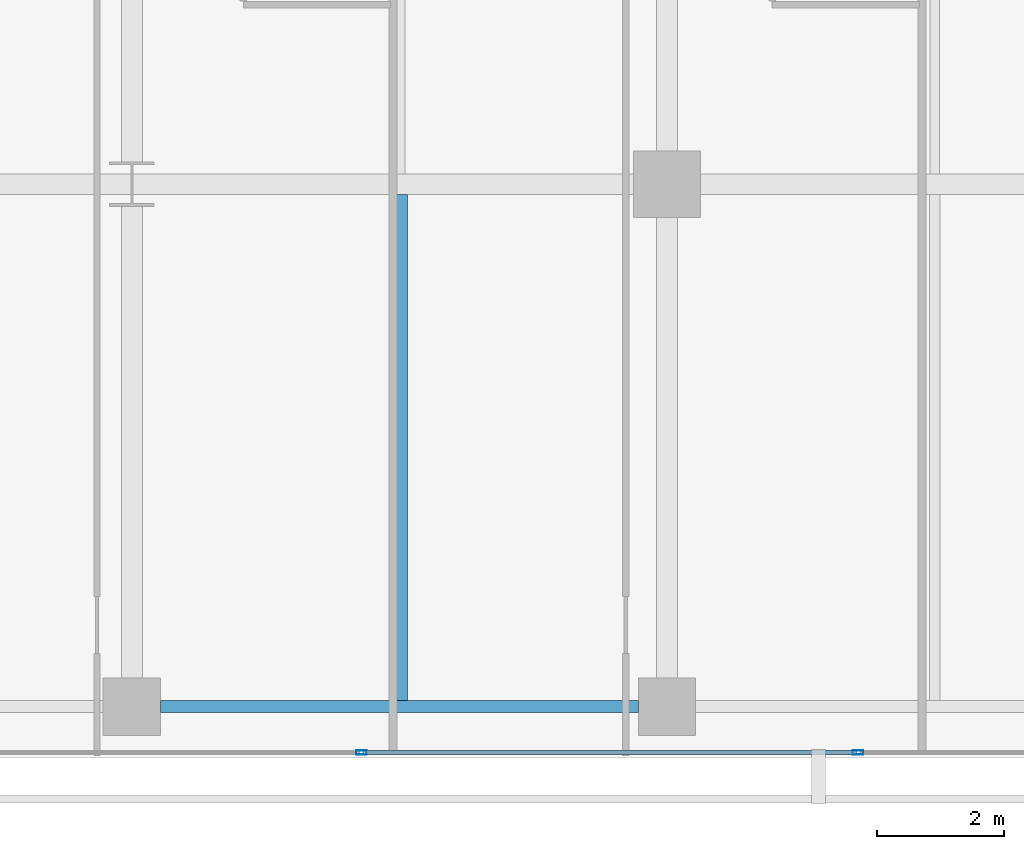
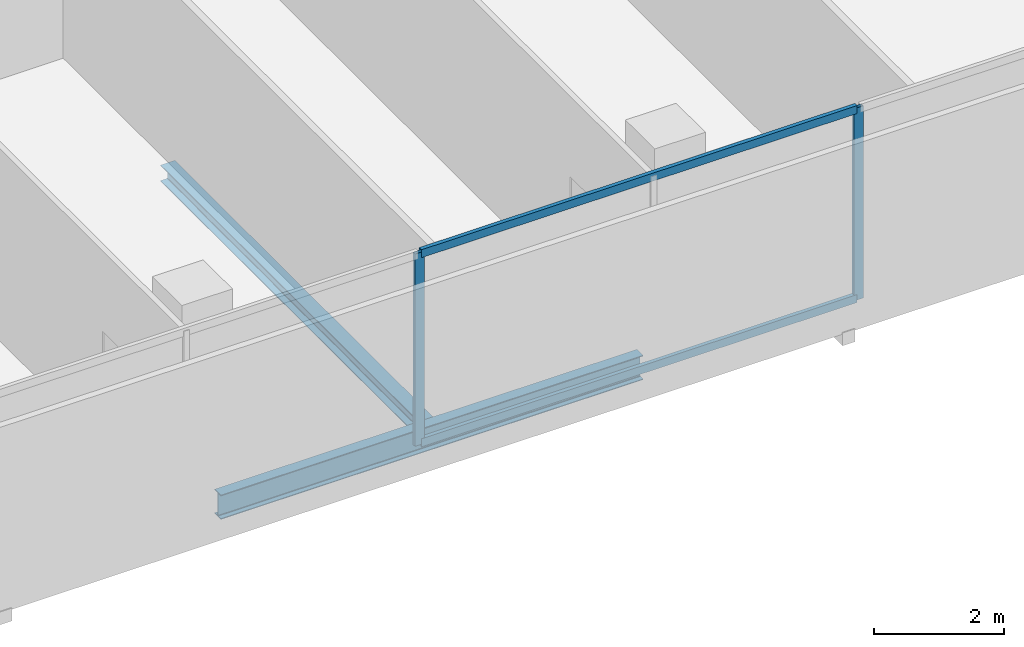
# One storey, part 14 of 40: 4 members, 2 beams, 1 element without a shape of its own.
"""IFC4 building model written with IfcOpenShell, lengths in metres."""

from ifc_helpers import new_model, si_unit, direction, frame, origin, origin_2d, place, context, subcontext, project, spatial, hollow_rectangle, i_section, extrude, material, layer, layer_set, material_profile, profile_set, type_object, element, aggregate, save


model = new_model("IFC4")

# Units and contexts
model_context = context("Model", 3, precision=1e-05, world=origin(), true_north=direction((0.0, 1.0)))
body_context = subcontext(model_context, "Body", "Model", "MODEL_VIEW")
ifc_project = project(units=[si_unit("LENGTHUNIT", "METRE"), si_unit("AREAUNIT", "SQUARE_METRE"), si_unit("VOLUMEUNIT", "CUBIC_METRE"), si_unit("PLANEANGLEUNIT", "RADIAN"), si_unit("MASSUNIT", "GRAM", prefix="KILO")], contexts=[model_context])

# Site, building, storey
site_placement = place(None, origin())
site = spatial("IfcSite", under=ifc_project, at=site_placement, CompositionType="ELEMENT")
building_placement = place(site_placement, origin())
building = spatial("IfcBuilding", under=site, at=building_placement, Name="Maruvema Waterfront Hotel and Observation Tower", CompositionType="ELEMENT")
storey_placement = place(building_placement, frame((0.0, 0.0, 42.35009765625)))
storey = spatial("IfcBuildingStorey", under=building, at=storey_placement, Name="L09", CompositionType="ELEMENT", Elevation=42.35009765625)

# Curtain wall, members
ifc_material_1 = material(Name="Anodised bronze aluminium and solar-control low-E IGU", Category="aluminium")
ifc_layer = layer(ifc_material_1, 0.159912109375, Name="Zone 1 Bronze Inner Thermal Curtain Wall System CW-02")
ifc_layer_set = layer_set([ifc_layer], Name="Anodised bronze aluminium and solar-control low-E IGU")
curtain_wall_type = type_object("IfcCurtainWallType", Name="Zone 1 Bronze Inner Thermal Curtain Wall System CW-02", PredefinedType="USERDEFINED", material=ifc_layer_set)
curtain_wall_placement = place(storey_placement, origin())
curtain_wall = element("IfcCurtainWall", 1, at=curtain_wall_placement, inside=storey, type_object=curtain_wall_type, Name="L09 Curtain Wall CW-L09-S", ObjectType="UNITISED CURTAIN WALL", PredefinedType="USERDEFINED")
ifc_material_2 = material(Name="Anodised architectural bronze aluminium", Category="aluminium")
ifc_material_profile_1 = material_profile(ifc_material_2, hollow_rectangle(XDim=0.070068359375, YDim=0.14990234375, WallThickness=0.00390625, at=origin_2d()), Name="ALU-T70x150")
ifc_profile_set_1 = profile_set([ifc_material_profile_1], Name="Anodised architectural bronze aluminium")
member_type_1 = type_object("IfcMemberType", Name="Curtain Wall Horizontal Transom ALU-T70x150", PredefinedType="USERDEFINED", material=ifc_profile_set_1)
member_1_placement = place(storey_placement, frame((45.6298828125, 0.080078125, 0.02978515625), z_axis=(1.0, 0.0, 0.0), x_axis=(0.0, 1.0, 0.0)))
member_1 = element("IfcMember", 2, at=member_1_placement, type_object=member_type_1, Name="CW-02 transom 5.1", ObjectType="TRANSOM", PredefinedType="USERDEFINED", context=body_context, shape_type="SweptSolid", body=[
    extrude(hollow_rectangle(XDim=0.070068359375, YDim=0.14990234375, WallThickness=0.00390625, at=origin_2d()), origin(), (0.0, 0.0, 1.0), 7.740234375),
])
member_2_placement = place(storey_placement, frame((45.6298828125, 0.080078125, 3.579833984375), z_axis=(1.0, 0.0, 0.0), x_axis=(0.0, 1.0, 0.0)))
member_2 = element("IfcMember", 3, at=member_2_placement, type_object=member_type_1, Name="CW-02 transom 5.2", ObjectType="TRANSOM", PredefinedType="USERDEFINED", context=body_context, shape_type="SweptSolid", body=[
    extrude(hollow_rectangle(XDim=0.070068359375, YDim=0.14990234375, WallThickness=0.00390625, at=origin_2d()), origin(), (0.0, 0.0, 1.0), 7.740234375),
])
ifc_material_3 = material(Name="Anodised architectural bronze aluminium", Category="aluminium")
ifc_material_profile_2 = material_profile(ifc_material_3, hollow_rectangle(XDim=0.06494140625, YDim=0.1650390625, WallThickness=0.00390625, at=origin_2d()), Name="ALU-M65x165")
ifc_profile_set_2 = profile_set([ifc_material_profile_2], Name="Anodised architectural bronze aluminium")
member_type_2 = type_object("IfcMemberType", Name="Curtain Wall Primary Mullion ALU-M65x165", PredefinedType="MULLION", material=ifc_profile_set_2)
member_3_placement = place(storey_placement, frame((45.60009765625, 0.080078125, 0.0), z_axis=(0.0, 0.0, 1.0), x_axis=(0.0, 1.0, 0.0)))
member_3 = element("IfcMember", 4, at=member_3_placement, type_object=member_type_2, Name="CW-02 mullion 5", PredefinedType="MULLION", context=body_context, shape_type="SweptSolid", body=[
    extrude(hollow_rectangle(XDim=0.06494140625, YDim=0.1650390625, WallThickness=0.00390625, at=origin_2d()), origin(), (0.0, 0.0, 1.0), 3.60986328125),
])
member_4_placement = place(storey_placement, frame((53.39990234375, 0.080078125, 0.0), z_axis=(0.0, 0.0, 1.0), x_axis=(0.0, 1.0, 0.0)))
member_4 = element("IfcMember", 5, at=member_4_placement, type_object=member_type_2, Name="CW-02 mullion 6", PredefinedType="MULLION", context=body_context, shape_type="SweptSolid", body=[
    extrude(hollow_rectangle(XDim=0.06494140625, YDim=0.1650390625, WallThickness=0.00390625, at=origin_2d()), origin(), (0.0, 0.0, 1.0), 3.60986328125),
])
aggregate(curtain_wall, [member_3, member_4, member_1, member_2])

# Beams
ifc_material_4 = material(Name="Steel ASTM A572 Grade 50", Category="steel")
ifc_material_profile_3 = material_profile(ifc_material_4, i_section(OverallWidth=0.18994140625, OverallDepth=0.45703125, WebThickness=0.009033203125, FlangeThickness=0.014404296875, FilletRadius=0.014892578125, at=origin_2d()), Name="W460x74.0")
ifc_profile_set_3 = profile_set([ifc_material_profile_3], Name="Steel ASTM A572 Grade 50")
beam_type_1 = type_object("IfcBeamType", Name="Perimeter Spandrel Beam W460x74.0", PredefinedType="SPANDREL", material=ifc_profile_set_3)
beam_1_placement = place(storey_placement, frame((42.449951171875, 0.800048828125, -0.468505859375), z_axis=(1.0, 0.0, 0.0), x_axis=(0.0, 1.0, 0.0)))
element("IfcBeam", 6, at=beam_1_placement, inside=storey, type_object=beam_type_1, Name="L09 Floor Girder EW-04", PredefinedType="SPANDREL", context=body_context, shape_type="SweptSolid", body=[
    extrude(i_section(OverallWidth=0.18994140625, OverallDepth=0.45703125, WebThickness=0.009033203125, FlangeThickness=0.014404296875, FilletRadius=0.014892578125, at=origin_2d()), origin(), (0.0, 0.0, 1.0), 7.5),
])
ifc_material_5 = material(Name="Steel ASTM A572 Grade 50", Category="steel")
ifc_material_profile_4 = material_profile(ifc_material_5, i_section(OverallWidth=0.25390625, OverallDepth=0.305908203125, WebThickness=0.0087890625, FlangeThickness=0.0146484375, FilletRadius=0.014892578125, at=origin_2d()), Name="W310x79.0")
ifc_profile_set_4 = profile_set([ifc_material_profile_4], Name="Steel ASTM A572 Grade 50")
beam_type_2 = type_object("IfcBeamType", Name="Secondary Floor Joist W310x79.0", PredefinedType="JOIST", material=ifc_profile_set_4)
beam_2_placement = place(storey_placement, frame((46.199951171875, 0.89501953125, -0.39306640625), z_axis=(0.0, 1.0, 0.0), x_axis=(-1.0, 0.0, 0.0)))
element("IfcBeam", 7, at=beam_2_placement, inside=storey, type_object=beam_type_2, Name="L09 Secondary Floor Joist JS-14", PredefinedType="JOIST", context=body_context, shape_type="SweptSolid", body=[
    extrude(i_section(OverallWidth=0.25390625, OverallDepth=0.305908203125, WebThickness=0.0087890625, FlangeThickness=0.0146484375, FilletRadius=0.014892578125, at=origin_2d()), origin(), (0.0, 0.0, 1.0), 7.94140625),
])

save(model, "model.ifc")
